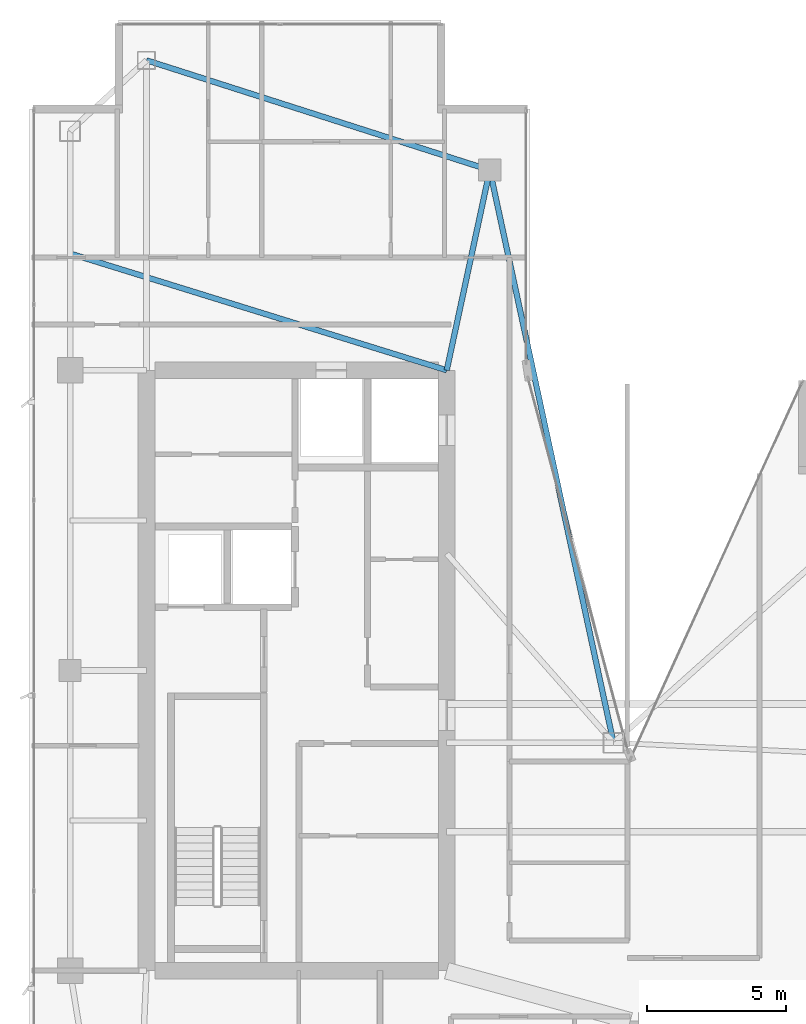
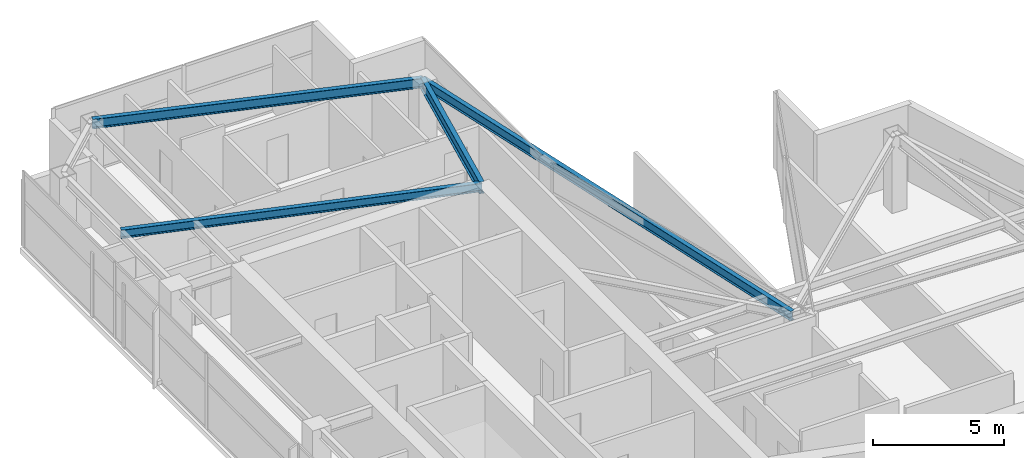
# One storey, part 18 of 27: 4 beams.
"""IFC4 building model written with IfcOpenShell, lengths in metres."""

from ifc_helpers import new_model, si_unit, direction, frame, origin, origin_2d, place, context, subcontext, project, spatial, i_section, extrude, material, material_profile, profile_set, type_object, element, save


model = new_model("IFC4")

# Units and contexts
model_context = context("Model", 3, precision=1e-05, world=origin(), true_north=direction((0.0, 1.0)))
body_context = subcontext(model_context, "Body", "Model", "MODEL_VIEW")
ifc_project = project(units=[si_unit("LENGTHUNIT", "METRE"), si_unit("AREAUNIT", "SQUARE_METRE"), si_unit("VOLUMEUNIT", "CUBIC_METRE"), si_unit("PLANEANGLEUNIT", "RADIAN"), si_unit("MASSUNIT", "GRAM", prefix="KILO")], contexts=[model_context])

# Site, building, storey
site_placement = place(None, origin())
site = spatial("IfcSite", under=ifc_project, at=site_placement, CompositionType="ELEMENT")
building_placement = place(site_placement, origin())
building = spatial("IfcBuilding", under=site, at=building_placement, Name="Calvorn Quay Hotel", CompositionType="ELEMENT")
storey_placement = place(building_placement, frame((0.0, 0.0, 298.699951171875)))
storey = spatial("IfcBuildingStorey", under=building, at=storey_placement, Name="L74", CompositionType="ELEMENT", Elevation=298.699951171875)

# Beams
ifc_material_1 = material(Name="Steel Q355B", Category="steel")
ifc_material_profile_1 = material_profile(ifc_material_1, i_section(OverallWidth=0.199951171875, OverallDepth=0.550048828125, WebThickness=0.010009765625, FlangeThickness=0.01611328125, FilletRadius=0.01806640625, at=origin_2d()), Name="HN550x200x10x16")
ifc_profile_set_1 = profile_set([ifc_material_profile_1], Name="Steel Q355B")
beam_type_1 = type_object("IfcBeamType", Name="BM-GIRD-UPP", PredefinedType="BEAM", material=ifc_profile_set_1)
beam_1_placement = place(storey_placement, frame((16.550048828125, 45.60009765625, 3.26513671875), z_axis=(-0.210457140491, -0.97760308511, 0.0), x_axis=(0.97760308511, -0.210457140491, 0.0)))
element("IfcBeam", 1, at=beam_1_placement, inside=storey, type_object=beam_type_1, Name="Beam BG-L74-W6", PredefinedType="BEAM", context=body_context, shape_type="SweptSolid", body=[
    extrude(i_section(OverallWidth=0.199951171875, OverallDepth=0.550048828125, WebThickness=0.010009765625, FlangeThickness=0.01611328125, FilletRadius=0.01806640625, at=origin_2d()), origin(), (0.0, 0.0, 1.0), 7.365234375),
])
ifc_material_2 = material(Name="Steel Q355B", Category="steel")
ifc_material_profile_2 = material_profile(ifc_material_2, i_section(OverallWidth=0.199951171875, OverallDepth=0.39990234375, WebThickness=0.008056640625, FlangeThickness=0.012939453125, FilletRadius=0.01611328125, at=origin_2d()), Name="HN400x200x8x13")
ifc_profile_set_2 = profile_set([ifc_material_profile_2], Name="Steel Q355B")
beam_type_2 = type_object("IfcBeamType", Name="BM-JOIST-TYP", PredefinedType="JOIST", material=ifc_profile_set_2)
beam_2_placement = place(storey_placement, frame((1.449951171875, 42.60009765625, 3.340087890625), z_axis=(0.955163702122, -0.296078202759, 0.0), x_axis=(0.296078202759, 0.955163702122, 0.0)))
element("IfcBeam", 2, at=beam_2_placement, inside=storey, type_object=beam_type_2, Name="Beam BJ-L74-W2", PredefinedType="JOIST", context=body_context, shape_type="SweptSolid", body=[
    extrude(i_section(OverallWidth=0.199951171875, OverallDepth=0.39990234375, WebThickness=0.008056640625, FlangeThickness=0.012939453125, FilletRadius=0.01611328125, at=origin_2d()), origin(), (0.0, 0.0, 1.0), 14.18603515625),
])
ifc_material_3 = material(Name="Steel Q355B", Category="steel")
ifc_material_profile_3 = material_profile(ifc_material_3, i_section(OverallWidth=0.199951171875, OverallDepth=0.449951171875, WebThickness=0.009033203125, FlangeThickness=0.013916015625, FilletRadius=0.01611328125, at=origin_2d()), Name="HN450x200x9x14")
ifc_profile_set_3 = profile_set([ifc_material_profile_3], Name="Steel Q355B")
beam_type_3 = type_object("IfcBeamType", Name="BM-SPANDREL-Z3", PredefinedType="SPANDREL", material=ifc_profile_set_3)
beam_3_placement = place(storey_placement, frame((4.199951171875, 49.550048828125, 3.31494140625), z_axis=(0.952470702374, -0.304630203885, 0.0), x_axis=(0.304630203885, 0.952470702374, 0.0)))
element("IfcBeam", 3, at=beam_3_placement, inside=storey, type_object=beam_type_3, Name="Beam BSP-L74-W6", PredefinedType="SPANDREL", context=body_context, shape_type="SweptSolid", body=[
    extrude(i_section(OverallWidth=0.199951171875, OverallDepth=0.449951171875, WebThickness=0.009033203125, FlangeThickness=0.013916015625, FilletRadius=0.01611328125, at=origin_2d()), origin(), (0.0, 0.0, 1.0), 12.96630859375),
])
beam_4_placement = place(storey_placement, frame((16.550048828125, 45.60009765625, 3.31494140625), z_axis=(0.211145848376, -0.977454567084, 0.0), x_axis=(0.977454567084, 0.211145848376, 0.0)))
element("IfcBeam", 4, at=beam_4_placement, inside=storey, type_object=beam_type_3, Name="Beam BSP-L74-W7", PredefinedType="SPANDREL", context=body_context, shape_type="SweptSolid", body=[
    extrude(i_section(OverallWidth=0.199951171875, OverallDepth=0.449951171875, WebThickness=0.009033203125, FlangeThickness=0.013916015625, FilletRadius=0.01611328125, at=origin_2d()), origin(), (0.0, 0.0, 1.0), 21.0751953125),
])

save(model, "model.ifc")
